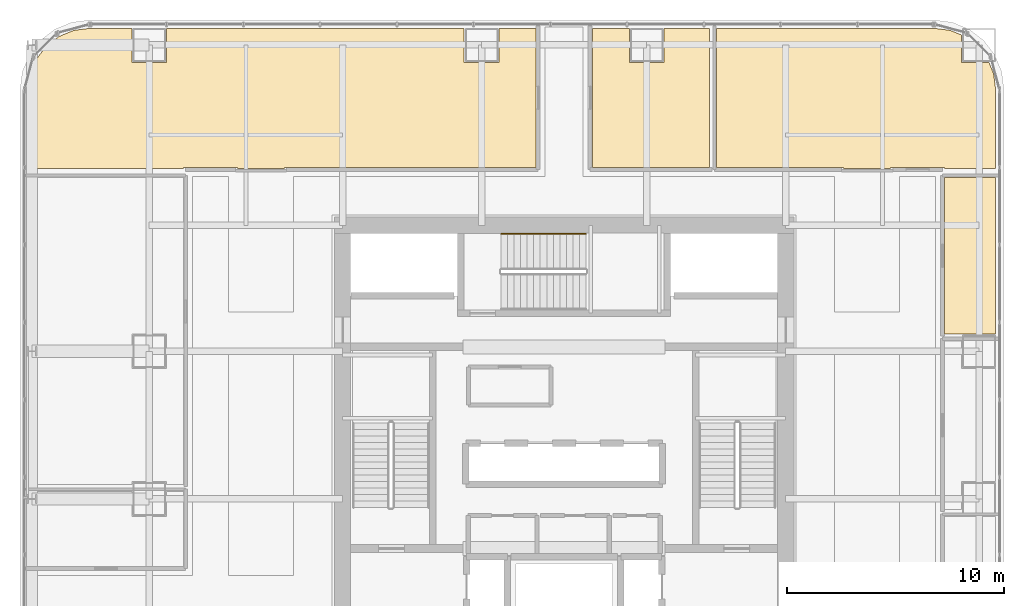
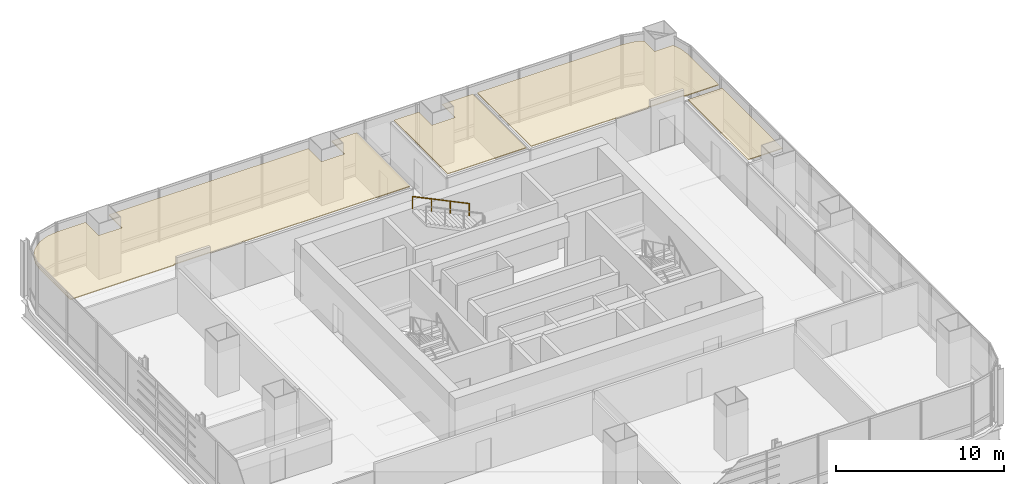
# One storey, part 36 of 36: 4 coverings, 1 railing.
"""IFC4 building model written with IfcOpenShell, lengths in metres."""

import ifcopenshell
import ifcopenshell.guid

model = None  # the IFC model being written
_history = None  # IfcOwnerHistory: only IFC2X3 demands one
_inside = {}  # id of a spatial element -> (the spatial element, [elements in it])
_under = {}  # id of a project, library or spatial element -> (it, [spatial elements below it])
_declared = {}  # id of a project -> (the project, [libraries it declares])
_typed = {}  # id of a type object -> (the type object, [elements of that type])
_made_of = {}  # id of a material, layer set ... -> (it, [elements and type objects made of it])


def new_model(schema):
    """Start an empty IFC model of exactly this schema.

    Asked for "IFC4X3", IfcOpenShell would pick the latest addendum, in which some entities
    have other attributes; the version numbers below select the first issue.
    IFC2X3 requires an IfcOwnerHistory on every rooted entity: one is made here for all.
    """
    global model, _history
    if schema == "IFC4X3":
        model = ifcopenshell.file(schema_version=(4, 3, 0, 0))
    else:
        model = ifcopenshell.file(schema=schema)
    _inside.clear()
    _under.clear()
    _declared.clear()
    _typed.clear()
    _made_of.clear()
    _history = None
    if model.schema == "IFC2X3":
        org = make("IfcOrganization", Name="unknown")
        user = make(
            "IfcPersonAndOrganization",
            ThePerson=make("IfcPerson", FamilyName="unknown"),
            TheOrganization=org,
        )
        app = make(
            "IfcApplication",
            ApplicationDeveloper=org,
            Version="unknown",
            ApplicationFullName="unknown",
            ApplicationIdentifier="unknown",
        )
        _history = make(
            "IfcOwnerHistory",
            OwningUser=user,
            OwningApplication=app,
            ChangeAction="ADDED",
            CreationDate=0,
        )
    return model


def make(cls, **values):
    """One entity of the class cls with the attributes given. An attribute that is None is left unset."""
    return model.create_entity(
        cls, **{name: value for name, value in values.items() if value is not None}
    )


def rooted(cls, **values):
    """An entity with a GlobalId (a new one), such as an element, a storey or a relation."""
    return make(cls, GlobalId=ifcopenshell.guid.new(), OwnerHistory=_history, **values)


def si_unit(unit_type, name, prefix=None):
    """IfcSIUnit, for example si_unit("LENGTHUNIT", "METRE", prefix="MILLI")."""
    return make("IfcSIUnit", UnitType=unit_type, Prefix=prefix, Name=name)


def assignment(units):
    """IfcUnitAssignment: the units of a project."""
    return None if units is None else make("IfcUnitAssignment", Units=units)


def point(xyz):
    """IfcCartesianPoint."""
    return None if xyz is None else make("IfcCartesianPoint", Coordinates=xyz)


def direction(xyz):
    """IfcDirection."""
    return None if xyz is None else make("IfcDirection", DirectionRatios=xyz)


def frame(location, z_axis=None, x_axis=None):
    """IfcAxis2Placement3D, a coordinate frame: its origin and axes. An axis left out is left unset."""
    return make(
        "IfcAxis2Placement3D",
        Location=point(location),
        Axis=direction(z_axis),
        RefDirection=direction(x_axis),
    )


def frame_2d(location, x_axis=None):
    """IfcAxis2Placement2D, a coordinate frame in the plane: its origin and x axis."""
    return make(
        "IfcAxis2Placement2D", Location=point(location), RefDirection=direction(x_axis)
    )


def origin():
    """The frame at (0, 0, 0) with its axes left unset."""
    return frame((0.0, 0.0, 0.0))


def origin_2d():
    """The frame at (0, 0) in the plane with its x axis left unset."""
    return frame_2d((0.0, 0.0))


def place(relative_to, where):
    """IfcLocalPlacement: puts the frame where relative to a parent placement (None: the world)."""
    return make(
        "IfcLocalPlacement", PlacementRelTo=relative_to, RelativePlacement=where
    )


def context(
    kind, dimensions, precision=None, world=None, true_north=None, identifier=None
):
    """IfcGeometricRepresentationContext, for example the 3D "Model" context."""
    return make(
        "IfcGeometricRepresentationContext",
        ContextIdentifier=identifier,
        ContextType=kind,
        CoordinateSpaceDimension=dimensions,
        Precision=precision,
        WorldCoordinateSystem=world,
        TrueNorth=true_north,
    )


def subcontext(parent, identifier, kind, view, scale=None):
    """IfcGeometricRepresentationSubContext, for example "Body" below "Model"."""
    return make(
        "IfcGeometricRepresentationSubContext",
        ContextIdentifier=identifier,
        ContextType=kind,
        ParentContext=parent,
        TargetScale=scale,
        TargetView=view,
    )


def project(units=None, contexts=None):
    """IfcProject with its units and contexts."""
    return rooted(
        "IfcProject",
        Name="project",
        RepresentationContexts=contexts,
        UnitsInContext=assignment(units),
    )


def spatial(cls, under=None, at=None, **own):
    """A site, building, storey or space (cls), placed at a placement, below another one or the project."""
    s = rooted(cls, ObjectPlacement=at, **own)
    if under is not None:
        _under.setdefault(under.id(), (under, []))[1].append(s)
    return s


def polyline(points):
    """IfcPolyline through the points."""
    return make("IfcPolyline", Points=[point(p) for p in points])


def profile(cls, at=None, kind="AREA", **sizes):
    """A parametric profile (cls). Its sizes go by their IFC names, for example OverallWidth=200.0."""
    return make(cls, ProfileType=kind, Position=at, **sizes)


def circle(**sizes):
    """IfcCircleProfileDef."""
    return profile("IfcCircleProfileDef", **sizes)


def outline(outer, holes=None, kind="AREA"):
    """IfcArbitraryClosedProfileDef: a profile drawn as a closed curve; with holes, ...WithVoids."""
    if holes is None:
        return make("IfcArbitraryClosedProfileDef", ProfileType=kind, OuterCurve=outer)
    return make(
        "IfcArbitraryProfileDefWithVoids",
        ProfileType=kind,
        OuterCurve=outer,
        InnerCurves=holes,
    )


def extrude(swept, where, along, depth):
    """IfcExtrudedAreaSolid: the profile swept, set in the frame where, extruded along a direction by depth."""
    return make(
        "IfcExtrudedAreaSolid",
        SweptArea=swept,
        Position=where,
        ExtrudedDirection=direction(along),
        Depth=depth,
    )


def shape(context_of_items, identifier, shape_type, items):
    """IfcShapeRepresentation: the items that make up one representation, for example the "Body"."""
    return make(
        "IfcShapeRepresentation",
        ContextOfItems=context_of_items,
        RepresentationIdentifier=identifier,
        RepresentationType=shape_type,
        Items=items,
    )


def material(Name=None, Category=None):
    """IfcMaterial."""
    return make("IfcMaterial", Name=Name, Category=Category)


def layer(
    of_material, thickness, ventilated=None, Name=None, Category=None, Priority=None
):
    """IfcMaterialLayer: one layer of a wall or slab, of a material (None: an air gap)."""
    return make(
        "IfcMaterialLayer",
        Material=of_material,
        LayerThickness=thickness,
        IsVentilated=ventilated,
        Name=Name,
        Category=Category,
        Priority=Priority,
    )


def layer_set(layers, Name=None):
    """IfcMaterialLayerSet."""
    return make("IfcMaterialLayerSet", MaterialLayers=layers, LayerSetName=Name)


def made_of(thing, what):
    """Note that an element or type object is made of a material, layer set ...; save() writes the relation."""
    if what is not None:
        _made_of.setdefault(what.id(), (what, []))[1].append(thing)
    return thing


def type_object(cls, material=None, **own):
    """A type object (cls), such as IfcWallType, which elements share."""
    return made_of(rooted(cls, **own), material)


def element(
    cls,
    number,
    at=None,
    inside=None,
    cuts=None,
    type_object=None,
    material=None,
    context=None,
    identifier="Body",
    shape_type=None,
    held_by="IfcProductDefinitionShape",
    body=None,
    shapes=None,
    **own,
):
    """One element of the class cls, such as IfcWall. Its Tag is "e" and its number.

    at: its placement. inside: the storey or other place that contains it. cuts: it is an
    opening in that element (IfcRelVoidsElement). A single representation is given by context,
    identifier, shape_type and body (its items); several are given by shapes. held_by: the class
    of the entity that holds the representations. save() writes the other relations.
    """
    e = rooted(cls, Tag="e%d" % number, ObjectPlacement=at, **own)
    if body is not None:
        shapes = [shape(context, identifier, shape_type, body)]
    if shapes is not None:
        e.Representation = make(held_by, Representations=shapes)
    if inside is not None:
        _inside.setdefault(inside.id(), (inside, []))[1].append(e)
    if cuts is not None:
        rooted(
            "IfcRelVoidsElement", RelatingBuildingElement=cuts, RelatedOpeningElement=e
        )
    if type_object is not None:
        _typed.setdefault(type_object.id(), (type_object, []))[1].append(e)
    return made_of(e, material)


def aggregate(whole, parts):
    """IfcRelAggregates: a whole, such as a stair, and the parts it consists of."""
    return rooted("IfcRelAggregates", RelatingObject=whole, RelatedObjects=parts)


def save(model, path):
    """Write the relations noted so far, then the file.

    IfcRelAggregates (storeys below a building ...), IfcRelContainedInSpatialStructure (elements
    in a storey), IfcRelDefinesByType, IfcRelAssociatesMaterial and IfcRelDeclares: one each for
    every whole, place, type object, material and project.
    """
    for whole, parts in _under.values():
        aggregate(whole, parts)
    for where, things in _inside.values():
        rooted(
            "IfcRelContainedInSpatialStructure",
            RelatedElements=things,
            RelatingStructure=where,
        )
    for kind, things in _typed.values():
        rooted("IfcRelDefinesByType", RelatedObjects=things, RelatingType=kind)
    for what, things in _made_of.values():
        rooted("IfcRelAssociatesMaterial", RelatedObjects=things, RelatingMaterial=what)
    for by, libraries in _declared.values():
        rooted("IfcRelDeclares", RelatingContext=by, RelatedDefinitions=libraries)
    model.write(path)


model = new_model("IFC4")

# Units and contexts
model_context = context("Model", 3, precision=1e-05, world=origin(), true_north=direction((0.0, 1.0)))
body_context = subcontext(model_context, "Body", "Model", "MODEL_VIEW")
ifc_project = project(units=[si_unit("LENGTHUNIT", "METRE"), si_unit("AREAUNIT", "SQUARE_METRE"), si_unit("VOLUMEUNIT", "CUBIC_METRE"), si_unit("PLANEANGLEUNIT", "RADIAN"), si_unit("MASSUNIT", "GRAM", prefix="KILO")], contexts=[model_context])

# Site, building, storey
site_placement = place(None, origin())
site = spatial("IfcSite", under=ifc_project, at=site_placement, CompositionType="ELEMENT")
building_placement = place(site_placement, origin())
building = spatial("IfcBuilding", under=site, at=building_placement, Name="Punatoya Terracotta Tower", CompositionType="ELEMENT")
storey_placement = place(building_placement, frame((0.0, 0.0, 32.25)))
storey = spatial("IfcBuildingStorey", under=building, at=storey_placement, Name="L06", CompositionType="ELEMENT", Elevation=32.25)

# Coverings
ifc_material_1 = material(Name="Acoustic Mineral Fibre Ceiling")
ifc_layer = layer(ifc_material_1, 0.06005859375)
ifc_layer_set = layer_set([ifc_layer], Name="Acoustic Mineral Fibre Ceiling")
covering_type = type_object("IfcCoveringType", Name="COV-CEIL-60", PredefinedType="CEILING", material=ifc_layer_set)
covering_1_placement = place(storey_placement, frame((0.0, 0.0, 3.199951171875)))
element("IfcCovering", 1, at=covering_1_placement, inside=storey, type_object=covering_type, Name="L06 Systems Engineering Office Acoustic Ceiling", PredefinedType="CEILING", context=body_context, shape_type="SweptSolid", body=[
    extrude(outline(polyline([(17.52001953125, 11.389892578125), (17.52001953125, 4.202880859375), (19.8701171875, 4.202880859375), (19.8701171875, 11.389892578125), (17.52001953125, 11.389892578125)])), origin(), (0.0, 0.0, 1.0), 0.06005859375),
])
covering_2_placement = place(storey_placement, frame((0.0, 0.0, 3.199951171875)))
element("IfcCovering", 2, at=covering_2_placement, inside=storey, type_object=covering_type, Name="L06 Quantitative Practice Office Acoustic Ceiling", PredefinedType="CEILING", context=body_context, shape_type="SweptSolid", body=[
    extrude(outline(polyline([(-21.8251953125, 18.27001953125), (-22.5791015625, 18.1708984375), (-23.25830078125, 17.889404296875), (-23.841796875, 17.441650390625), (-24.289306640625, 16.8583984375), (-24.57080078125, 16.178955078125), (-24.669921875, 15.425048828125), (-24.669921875, 11.81005859375), (-17.52001953125, 11.81005859375), (-17.52001953125, 11.8701171875), (-15.030029296875, 11.8701171875), (-15.030029296875, 11.81005859375), (-12.8701171875, 11.81005859375), (-12.8701171875, 11.8701171875), (-1.300048828125, 11.8701171875), (-1.300048828125, 18.27001953125), (-3.0, 18.27001953125), (-3.0, 16.699951171875), (-4.60009765625, 16.699951171875), (-4.60009765625, 18.27001953125), (-18.300048828125, 18.27001953125), (-18.300048828125, 16.699951171875), (-19.89990234375, 16.699951171875), (-19.89990234375, 18.27001953125), (-21.8251953125, 18.27001953125)])), origin(), (0.0, 0.0, 1.0), 0.06005859375),
])
covering_3_placement = place(storey_placement, frame((0.0, 0.0, 3.199951171875)))
element("IfcCovering", 3, at=covering_3_placement, inside=storey, type_object=covering_type, Name="L06 Open-Plan Regional Operations Office Acoustic Ceiling", PredefinedType="CEILING", context=body_context, shape_type="SweptSolid", body=[
    extrude(outline(polyline([(12.8701171875, 11.81005859375), (15.030029296875, 11.81005859375), (15.030029296875, 11.8701171875), (17.52001953125, 11.8701171875), (17.52001953125, 11.81005859375), (19.8701171875, 11.81005859375), (19.8701171875, 15.425048828125), (19.770751953125, 16.178955078125), (19.554931640625, 16.699951171875), (18.300048828125, 16.699951171875), (18.300048828125, 17.955078125), (17.779052734375, 18.1708984375), (17.025146484375, 18.27001953125), (7.02001953125, 18.27001953125), (7.02001953125, 11.8701171875), (12.8701171875, 11.8701171875), (12.8701171875, 11.81005859375)])), origin(), (0.0, 0.0, 1.0), 0.06005859375),
])
covering_4_placement = place(storey_placement, frame((0.0, 0.0, 3.199951171875)))
element("IfcCovering", 4, at=covering_4_placement, inside=storey, type_object=covering_type, Name="L06 Open-Plan Global Desk Workplace Acoustic Ceiling", PredefinedType="CEILING", context=body_context, shape_type="SweptSolid", body=[
    extrude(outline(polyline([(4.60009765625, 16.699951171875), (3.0, 16.699951171875), (3.0, 18.27001953125), (1.300048828125, 18.27001953125), (1.300048828125, 11.8701171875), (6.699951171875, 11.8701171875), (6.699951171875, 18.27001953125), (4.60009765625, 18.27001953125), (4.60009765625, 16.699951171875)])), origin(), (0.0, 0.0, 1.0), 0.06005859375),
])

# Railing
ifc_material_2 = material(Name="Steel S355", Category="steel")
railing_type = type_object("IfcRailingType", Name="RLG-HND-900", PredefinedType="HANDRAIL", material=ifc_material_2)
railing_placement = place(storey_placement, frame((1.0, 8.800048828125, 2.169677734375)))
element("IfcRailing", 5, at=railing_placement, inside=storey, type_object=railing_type, Name="L06 ST-3 stair handrail 2", PredefinedType="HANDRAIL", context=body_context, shape_type="SweptSolid", body=[
    extrude(circle(Radius=0.02392578125, at=origin_2d()), frame((0.0, 0.0, 0.8759765625), z_axis=(-0.900763166376, 0.0, 0.434310623978), x_axis=(0.0, -1.0, 0.0)), (0.0, 0.0, 1.0), 4.32958984375),
    extrude(circle(Radius=0.02099609375, at=origin_2d()), origin(), (0.0, 0.0, 1.0), 0.851806640625),
    extrude(circle(Radius=0.02099609375, at=origin_2d()), frame((-1.300048828125, 0.0, 0.626708984375)), (0.0, 0.0, 1.0), 0.851806640625),
    extrude(circle(Radius=0.02099609375, at=origin_2d()), frame((-2.599853515625, 0.0, 1.253662109375)), (0.0, 0.0, 1.0), 0.851806640625),
    extrude(circle(Radius=0.02099609375, at=origin_2d()), frame((-3.89990234375, 0.0, 1.88037109375)), (0.0, 0.0, 1.0), 0.851806640625),
])

save(model, "model.ifc")
